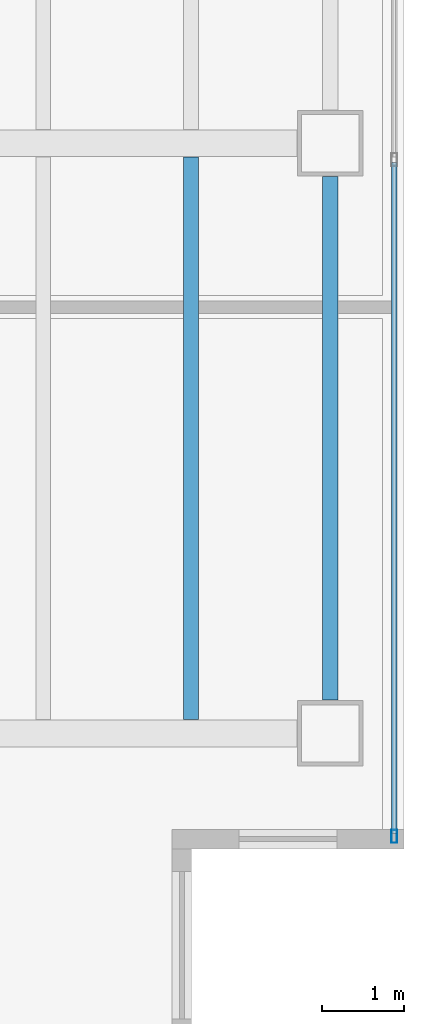
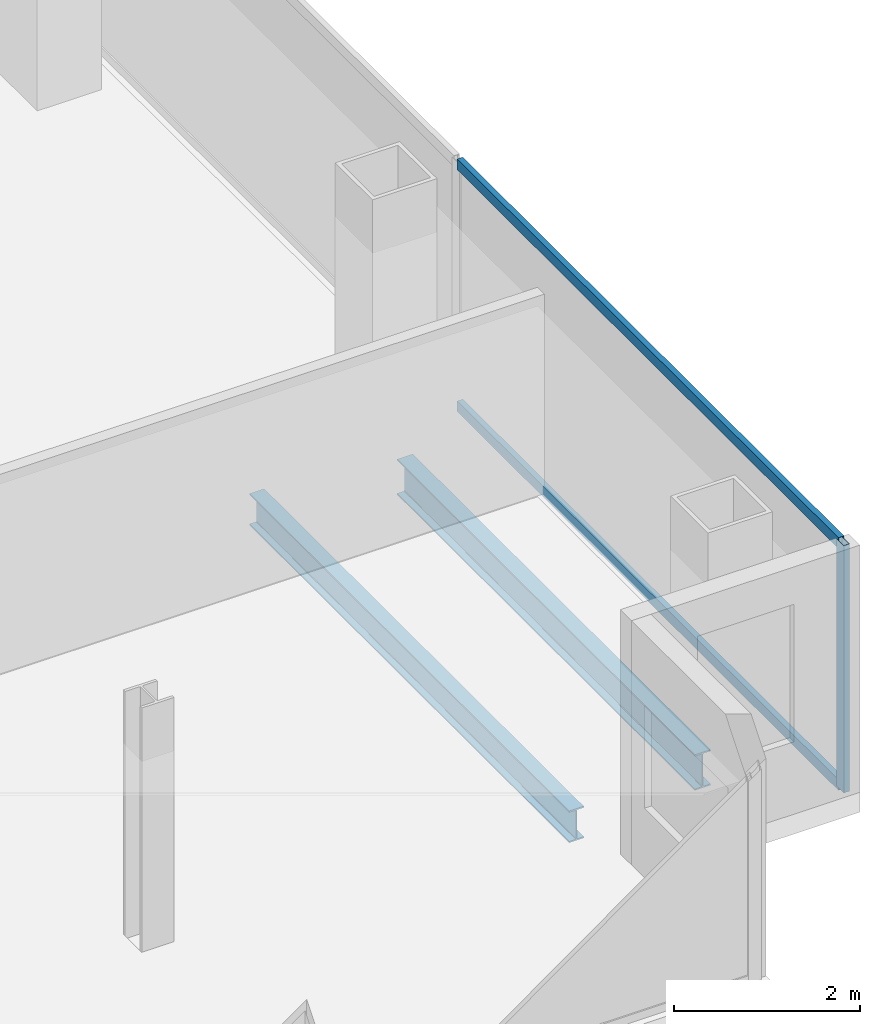
# One storey, part 12 of 23: 3 members, 2 beams, 1 element without a shape of its own.
"""IFC4 building model written with IfcOpenShell, lengths in metres."""

from ifc_helpers import new_model, si_unit, direction, frame, origin, origin_2d, place, context, subcontext, project, spatial, hollow_rectangle, i_section, extrude, material, material_profile, profile_set, type_object, element, aggregate, save


model = new_model("IFC4")

# Units and contexts
model_context = context("Model", 3, precision=1e-05, world=origin(), true_north=direction((0.0, 1.0)))
body_context = subcontext(model_context, "Body", "Model", "MODEL_VIEW")
ifc_project = project(units=[si_unit("LENGTHUNIT", "METRE"), si_unit("AREAUNIT", "SQUARE_METRE"), si_unit("VOLUMEUNIT", "CUBIC_METRE"), si_unit("PLANEANGLEUNIT", "RADIAN"), si_unit("MASSUNIT", "GRAM", prefix="KILO")], contexts=[model_context])

# Site, building, storey
site_placement = place(None, origin())
site = spatial("IfcSite", under=ifc_project, at=site_placement, CompositionType="ELEMENT")
building_placement = place(site_placement, origin())
building = spatial("IfcBuilding", under=site, at=building_placement, Name="Cobrela Telecom Tower", CompositionType="ELEMENT")
storey_placement = place(building_placement, frame((0.0, 0.0, 197.75)))
storey = spatial("IfcBuildingStorey", under=building, at=storey_placement, Name="L50", CompositionType="ELEMENT", Elevation=197.75)

# Beams
ifc_material_1 = material(Name="Steel ASTM A992 Grade 50", Category="steel")
ifc_material_profile_1 = material_profile(ifc_material_1, i_section(OverallWidth=0.179931640625, OverallDepth=0.4169921875, WebThickness=0.010986328125, FlangeThickness=0.01806640625, FilletRadius=0.011962890625, at=origin_2d()), Name="W16X57")
ifc_profile_set_1 = profile_set([ifc_material_profile_1], Name="Steel ASTM A992 Grade 50")
beam_type_1 = type_object("IfcBeamType", Name="BM-JOIST-04", PredefinedType="JOIST", material=ifc_profile_set_1)
beam_1_placement = place(storey_placement, frame((41.39990234375, 7.368896484375, -0.468505859375), z_axis=(0.0, 1.0, 0.0), x_axis=(-1.0, 0.0, 0.0)))
element("IfcBeam", 1, at=beam_1_placement, inside=storey, type_object=beam_type_1, Name="L50 Secondary Composite Floor Beam J29", PredefinedType="JOIST", context=body_context, shape_type="SweptSolid", body=[
    extrude(i_section(OverallWidth=0.179931640625, OverallDepth=0.4169921875, WebThickness=0.010986328125, FlangeThickness=0.01806640625, FilletRadius=0.011962890625, at=origin_2d()), origin(), (0.0, 0.0, 1.0), 6.862060546875),
])
ifc_material_profile_2 = material_profile(ifc_material_1, i_section(OverallWidth=0.193115234375, OverallDepth=0.467041015625, WebThickness=0.011474609375, FlangeThickness=0.01904296875, FilletRadius=0.012939453125, at=origin_2d()), Name="W18X65")
ifc_profile_set_2 = profile_set([ifc_material_profile_2], Name="Steel ASTM A992 Grade 50")
beam_type_2 = type_object("IfcBeamType", Name="BM-SPAND-05", PredefinedType="SPANDREL", material=ifc_profile_set_2)
beam_2_placement = place(storey_placement, frame((43.10009765625, 7.60498046875, -0.493408203125), z_axis=(0.0, 1.0, 0.0), x_axis=(-1.0, 0.0, 0.0)))
element("IfcBeam", 2, at=beam_2_placement, inside=storey, type_object=beam_type_2, Name="L50 Perimeter Spandrel Y42", PredefinedType="SPANDREL", context=body_context, shape_type="SweptSolid", body=[
    extrude(i_section(OverallWidth=0.193115234375, OverallDepth=0.467041015625, WebThickness=0.011474609375, FlangeThickness=0.01904296875, FilletRadius=0.012939453125, at=origin_2d()), origin(), (0.0, 0.0, 1.0), 6.39013671875),
])

# Curtain wall, members
ifc_material_2 = material(Name="Anodized Bronze Aluminium 6063-T6", Category="aluminium")
curtain_wall_type = type_object("IfcCurtainWallType", Name="CW-SYS-OFF-LO", PredefinedType="USERDEFINED", material=ifc_material_2)
curtain_wall_placement = place(storey_placement, origin())
curtain_wall = element("IfcCurtainWall", 3, at=curtain_wall_placement, inside=storey, type_object=curtain_wall_type, Name="L50 Unitised Bronze Curtain Wall 14", ObjectType="UNITISED CURTAIN WALL", PredefinedType="USERDEFINED")
ifc_material_profile_3 = material_profile(ifc_material_2, hollow_rectangle(XDim=0.070068359375, YDim=0.159912109375, WallThickness=0.00390625, at=origin_2d()), Name="ALU 70x160x4")
ifc_profile_set_3 = profile_set([ifc_material_profile_3], Name="Anodized Bronze Aluminium 6063-T6")
member_type_1 = type_object("IfcMemberType", Name="CW-SYS-OFF-LO-MUL", PredefinedType="MULLION", material=ifc_profile_set_3)
member_1_placement = place(storey_placement, frame((43.8798828125, 5.945068359375, 0.0), z_axis=(0.0, 0.0, 1.0), x_axis=(1.0, 0.0, 0.0)))
member_1 = element("IfcMember", 4, at=member_1_placement, type_object=member_type_1, Name="CW-OFF-LO mullion 3", PredefinedType="MULLION", context=body_context, shape_type="SweptSolid", body=[
    extrude(hollow_rectangle(XDim=0.070068359375, YDim=0.159912109375, WallThickness=0.00390625, at=origin_2d()), origin(), (0.0, 0.0, 1.0), 3.239990234375),
])
ifc_material_profile_4 = material_profile(ifc_material_2, hollow_rectangle(XDim=0.070068359375, YDim=0.139892578125, WallThickness=0.00390625, at=origin_2d()), Name="ALU 70x140x4")
ifc_profile_set_4 = profile_set([ifc_material_profile_4], Name="Anodized Bronze Aluminium 6063-T6")
member_type_2 = type_object("IfcMemberType", Name="CW-SYS-OFF-LO-TRN", PredefinedType="USERDEFINED", material=ifc_profile_set_4)
member_2_placement = place(storey_placement, frame((43.8798828125, 14.1650390625, 0.034912109375), z_axis=(0.0, -1.0, 0.0), x_axis=(1.0, 0.0, 0.0)))
member_2 = element("IfcMember", 5, at=member_2_placement, type_object=member_type_2, Name="CW-OFF-LO transom 2.1", ObjectType="TRANSOM", PredefinedType="USERDEFINED", context=body_context, shape_type="SweptSolid", body=[
    extrude(hollow_rectangle(XDim=0.070068359375, YDim=0.139892578125, WallThickness=0.00390625, at=origin_2d()), origin(), (0.0, 0.0, 1.0), 8.18505859375),
])
member_3_placement = place(storey_placement, frame((43.8798828125, 14.1650390625, 3.205078125), z_axis=(0.0, -1.0, 0.0), x_axis=(1.0, 0.0, 0.0)))
member_3 = element("IfcMember", 6, at=member_3_placement, type_object=member_type_2, Name="CW-OFF-LO transom 2.2", ObjectType="TRANSOM", PredefinedType="USERDEFINED", context=body_context, shape_type="SweptSolid", body=[
    extrude(hollow_rectangle(XDim=0.070068359375, YDim=0.139892578125, WallThickness=0.00390625, at=origin_2d()), origin(), (0.0, 0.0, 1.0), 8.18505859375),
])
aggregate(curtain_wall, [member_1, member_2, member_3])

save(model, "model.ifc")
